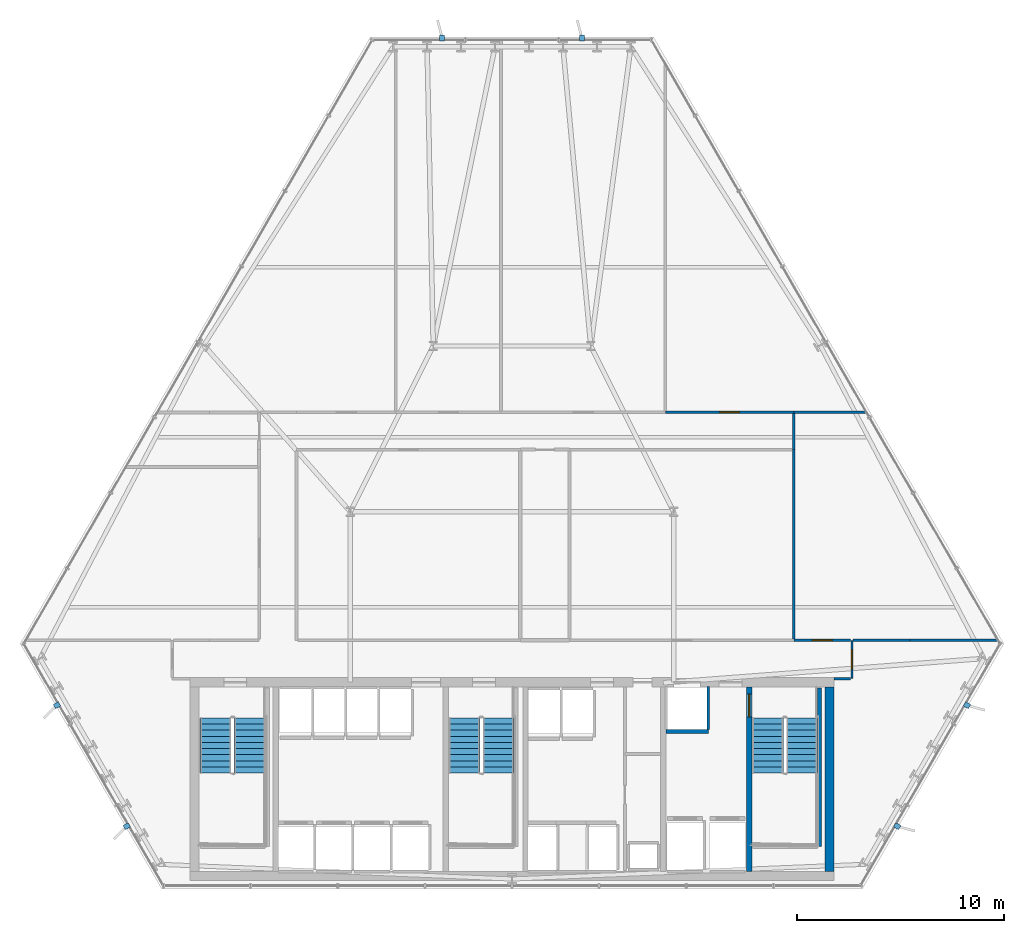
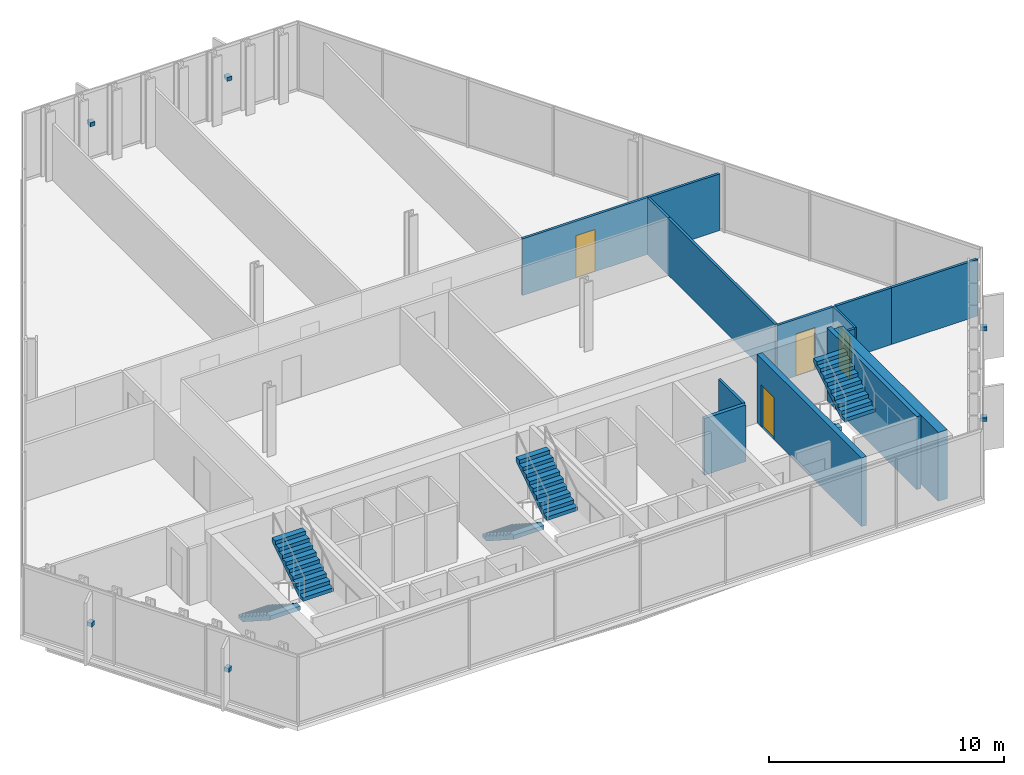
# One storey, part 27 of 31: 14 walls, 6 discrete accessories, 6 stair flights, 4 doors, 4 openings, 3 elements without a shape of their own.
"""IFC4 building model written with IfcOpenShell, lengths in metres."""

import ifcopenshell
import ifcopenshell.guid

model = None  # the IFC model being written
_history = None  # IfcOwnerHistory: only IFC2X3 demands one
_inside = {}  # id of a spatial element -> (the spatial element, [elements in it])
_under = {}  # id of a project, library or spatial element -> (it, [spatial elements below it])
_declared = {}  # id of a project -> (the project, [libraries it declares])
_typed = {}  # id of a type object -> (the type object, [elements of that type])
_made_of = {}  # id of a material, layer set ... -> (it, [elements and type objects made of it])


def new_model(schema):
    """Start an empty IFC model of exactly this schema.

    Asked for "IFC4X3", IfcOpenShell would pick the latest addendum, in which some entities
    have other attributes; the version numbers below select the first issue.
    IFC2X3 requires an IfcOwnerHistory on every rooted entity: one is made here for all.
    """
    global model, _history
    if schema == "IFC4X3":
        model = ifcopenshell.file(schema_version=(4, 3, 0, 0))
    else:
        model = ifcopenshell.file(schema=schema)
    _inside.clear()
    _under.clear()
    _declared.clear()
    _typed.clear()
    _made_of.clear()
    _history = None
    if model.schema == "IFC2X3":
        org = make("IfcOrganization", Name="unknown")
        user = make(
            "IfcPersonAndOrganization",
            ThePerson=make("IfcPerson", FamilyName="unknown"),
            TheOrganization=org,
        )
        app = make(
            "IfcApplication",
            ApplicationDeveloper=org,
            Version="unknown",
            ApplicationFullName="unknown",
            ApplicationIdentifier="unknown",
        )
        _history = make(
            "IfcOwnerHistory",
            OwningUser=user,
            OwningApplication=app,
            ChangeAction="ADDED",
            CreationDate=0,
        )
    return model


def make(cls, **values):
    """One entity of the class cls with the attributes given. An attribute that is None is left unset."""
    return model.create_entity(
        cls, **{name: value for name, value in values.items() if value is not None}
    )


def rooted(cls, **values):
    """An entity with a GlobalId (a new one), such as an element, a storey or a relation."""
    return make(cls, GlobalId=ifcopenshell.guid.new(), OwnerHistory=_history, **values)


def si_unit(unit_type, name, prefix=None):
    """IfcSIUnit, for example si_unit("LENGTHUNIT", "METRE", prefix="MILLI")."""
    return make("IfcSIUnit", UnitType=unit_type, Prefix=prefix, Name=name)


def assignment(units):
    """IfcUnitAssignment: the units of a project."""
    return None if units is None else make("IfcUnitAssignment", Units=units)


def point(xyz):
    """IfcCartesianPoint."""
    return None if xyz is None else make("IfcCartesianPoint", Coordinates=xyz)


def direction(xyz):
    """IfcDirection."""
    return None if xyz is None else make("IfcDirection", DirectionRatios=xyz)


def frame(location, z_axis=None, x_axis=None):
    """IfcAxis2Placement3D, a coordinate frame: its origin and axes. An axis left out is left unset."""
    return make(
        "IfcAxis2Placement3D",
        Location=point(location),
        Axis=direction(z_axis),
        RefDirection=direction(x_axis),
    )


def frame_2d(location, x_axis=None):
    """IfcAxis2Placement2D, a coordinate frame in the plane: its origin and x axis."""
    return make(
        "IfcAxis2Placement2D", Location=point(location), RefDirection=direction(x_axis)
    )


def origin():
    """The frame at (0, 0, 0) with its axes left unset."""
    return frame((0.0, 0.0, 0.0))


def origin_2d():
    """The frame at (0, 0) in the plane with its x axis left unset."""
    return frame_2d((0.0, 0.0))


def place(relative_to, where):
    """IfcLocalPlacement: puts the frame where relative to a parent placement (None: the world)."""
    return make(
        "IfcLocalPlacement", PlacementRelTo=relative_to, RelativePlacement=where
    )


def context(
    kind, dimensions, precision=None, world=None, true_north=None, identifier=None
):
    """IfcGeometricRepresentationContext, for example the 3D "Model" context."""
    return make(
        "IfcGeometricRepresentationContext",
        ContextIdentifier=identifier,
        ContextType=kind,
        CoordinateSpaceDimension=dimensions,
        Precision=precision,
        WorldCoordinateSystem=world,
        TrueNorth=true_north,
    )


def subcontext(parent, identifier, kind, view, scale=None):
    """IfcGeometricRepresentationSubContext, for example "Body" below "Model"."""
    return make(
        "IfcGeometricRepresentationSubContext",
        ContextIdentifier=identifier,
        ContextType=kind,
        ParentContext=parent,
        TargetScale=scale,
        TargetView=view,
    )


def project(units=None, contexts=None):
    """IfcProject with its units and contexts."""
    return rooted(
        "IfcProject",
        Name="project",
        RepresentationContexts=contexts,
        UnitsInContext=assignment(units),
    )


def spatial(cls, under=None, at=None, **own):
    """A site, building, storey or space (cls), placed at a placement, below another one or the project."""
    s = rooted(cls, ObjectPlacement=at, **own)
    if under is not None:
        _under.setdefault(under.id(), (under, []))[1].append(s)
    return s


def polyline(points):
    """IfcPolyline through the points."""
    return make("IfcPolyline", Points=[point(p) for p in points])


def profile(cls, at=None, kind="AREA", **sizes):
    """A parametric profile (cls). Its sizes go by their IFC names, for example OverallWidth=200.0."""
    return make(cls, ProfileType=kind, Position=at, **sizes)


def rectangle(**sizes):
    """IfcRectangleProfileDef."""
    return profile("IfcRectangleProfileDef", **sizes)


def outline(outer, holes=None, kind="AREA"):
    """IfcArbitraryClosedProfileDef: a profile drawn as a closed curve; with holes, ...WithVoids."""
    if holes is None:
        return make("IfcArbitraryClosedProfileDef", ProfileType=kind, OuterCurve=outer)
    return make(
        "IfcArbitraryProfileDefWithVoids",
        ProfileType=kind,
        OuterCurve=outer,
        InnerCurves=holes,
    )


def extrude(swept, where, along, depth):
    """IfcExtrudedAreaSolid: the profile swept, set in the frame where, extruded along a direction by depth."""
    return make(
        "IfcExtrudedAreaSolid",
        SweptArea=swept,
        Position=where,
        ExtrudedDirection=direction(along),
        Depth=depth,
    )


def shape(context_of_items, identifier, shape_type, items):
    """IfcShapeRepresentation: the items that make up one representation, for example the "Body"."""
    return make(
        "IfcShapeRepresentation",
        ContextOfItems=context_of_items,
        RepresentationIdentifier=identifier,
        RepresentationType=shape_type,
        Items=items,
    )


def material(Name=None, Category=None):
    """IfcMaterial."""
    return make("IfcMaterial", Name=Name, Category=Category)


def layer(
    of_material, thickness, ventilated=None, Name=None, Category=None, Priority=None
):
    """IfcMaterialLayer: one layer of a wall or slab, of a material (None: an air gap)."""
    return make(
        "IfcMaterialLayer",
        Material=of_material,
        LayerThickness=thickness,
        IsVentilated=ventilated,
        Name=Name,
        Category=Category,
        Priority=Priority,
    )


def layer_set(layers, Name=None):
    """IfcMaterialLayerSet."""
    return make("IfcMaterialLayerSet", MaterialLayers=layers, LayerSetName=Name)


def made_of(thing, what):
    """Note that an element or type object is made of a material, layer set ...; save() writes the relation."""
    if what is not None:
        _made_of.setdefault(what.id(), (what, []))[1].append(thing)
    return thing


def type_object(cls, material=None, **own):
    """A type object (cls), such as IfcWallType, which elements share."""
    return made_of(rooted(cls, **own), material)


def element(
    cls,
    number,
    at=None,
    inside=None,
    cuts=None,
    type_object=None,
    material=None,
    context=None,
    identifier="Body",
    shape_type=None,
    held_by="IfcProductDefinitionShape",
    body=None,
    shapes=None,
    **own,
):
    """One element of the class cls, such as IfcWall. Its Tag is "e" and its number.

    at: its placement. inside: the storey or other place that contains it. cuts: it is an
    opening in that element (IfcRelVoidsElement). A single representation is given by context,
    identifier, shape_type and body (its items); several are given by shapes. held_by: the class
    of the entity that holds the representations. save() writes the other relations.
    """
    e = rooted(cls, Tag="e%d" % number, ObjectPlacement=at, **own)
    if body is not None:
        shapes = [shape(context, identifier, shape_type, body)]
    if shapes is not None:
        e.Representation = make(held_by, Representations=shapes)
    if inside is not None:
        _inside.setdefault(inside.id(), (inside, []))[1].append(e)
    if cuts is not None:
        rooted(
            "IfcRelVoidsElement", RelatingBuildingElement=cuts, RelatedOpeningElement=e
        )
    if type_object is not None:
        _typed.setdefault(type_object.id(), (type_object, []))[1].append(e)
    return made_of(e, material)


def fill(opening, filler):
    """IfcRelFillsElement: the door or window that sits in an opening."""
    return rooted(
        "IfcRelFillsElement",
        RelatingOpeningElement=opening,
        RelatedBuildingElement=filler,
    )


def aggregate(whole, parts):
    """IfcRelAggregates: a whole, such as a stair, and the parts it consists of."""
    return rooted("IfcRelAggregates", RelatingObject=whole, RelatedObjects=parts)


def save(model, path):
    """Write the relations noted so far, then the file.

    IfcRelAggregates (storeys below a building ...), IfcRelContainedInSpatialStructure (elements
    in a storey), IfcRelDefinesByType, IfcRelAssociatesMaterial and IfcRelDeclares: one each for
    every whole, place, type object, material and project.
    """
    for whole, parts in _under.values():
        aggregate(whole, parts)
    for where, things in _inside.values():
        rooted(
            "IfcRelContainedInSpatialStructure",
            RelatedElements=things,
            RelatingStructure=where,
        )
    for kind, things in _typed.values():
        rooted("IfcRelDefinesByType", RelatedObjects=things, RelatingType=kind)
    for what, things in _made_of.values():
        rooted("IfcRelAssociatesMaterial", RelatedObjects=things, RelatingMaterial=what)
    for by, libraries in _declared.values():
        rooted("IfcRelDeclares", RelatingContext=by, RelatedDefinitions=libraries)
    model.write(path)


model = new_model("IFC4")

# Units and contexts
model_context = context("Model", 3, precision=1e-05, world=origin(), true_north=direction((0.0, 1.0)))
body_context = subcontext(model_context, "Body", "Model", "MODEL_VIEW")
ifc_project = project(units=[si_unit("LENGTHUNIT", "METRE"), si_unit("AREAUNIT", "SQUARE_METRE"), si_unit("VOLUMEUNIT", "CUBIC_METRE"), si_unit("PLANEANGLEUNIT", "RADIAN"), si_unit("MASSUNIT", "GRAM", prefix="KILO")], contexts=[model_context])

# Site, building, storey
site_placement = place(None, origin())
site = spatial("IfcSite", under=ifc_project, at=site_placement, CompositionType="ELEMENT")
building_placement = place(site_placement, origin())
building = spatial("IfcBuilding", under=site, at=building_placement, Name="Ndaravel Arena Tower", CompositionType="ELEMENT")
storey_placement = place(building_placement, frame((0.0, 0.0, 104.39990234375)))
storey = spatial("IfcBuildingStorey", under=building, at=storey_placement, Name="L24", CompositionType="ELEMENT", Elevation=104.39990234375)

# Wall, opening, door
ifc_material_1 = material(Name="Concrete C60/75", Category="concrete")
ifc_layer_1 = layer(ifc_material_1, 0.25)
ifc_layer_set_1 = layer_set([ifc_layer_1], Name="Concrete C60/75")
wall_type_1 = type_object("IfcWallType", Name="WALL-CORE-250", PredefinedType="SOLIDWALL", material=ifc_layer_set_1)
wall_1_placement = place(storey_placement, frame((53.449951171875, 5.85009765625, 0.0), z_axis=(0.0, 0.0, 1.0), x_axis=(0.0, 1.0, 0.0)))
wall_1 = element("IfcWall", 1, at=wall_1_placement, inside=storey, type_object=wall_type_1, Name="L24 Core Web Shear Wall 5", PredefinedType="SOLIDWALL", context=body_context, shape_type="SweptSolid", body=[
    extrude(rectangle(XDim=8.89990234375, YDim=0.25, at=frame_2d((4.449951171875, 0.0))), origin(), (0.0, 0.0, 1.0), 3.580078125),
])
opening_1_placement = place(wall_1_placement, frame((7.449951171875, 0.0, 0.0)))
opening_1 = element("IfcOpeningElement", 2, at=opening_1_placement, cuts=wall_1, Name="Opening FD-01", PredefinedType="OPENING", context=body_context, shape_type="SweptSolid", body=[
    extrude(rectangle(XDim=1.10009765625, YDim=2.199951171875, at=frame_2d((0.550048828125, 1.10009765625))), frame((0.0, 0.125, 0.0), z_axis=(0.0, -1.0, 0.0), x_axis=(1.0, 0.0, 0.0)), (0.0, 0.0, 1.0), 0.25),
])
ifc_material_2 = material(Name="Steel S355", Category="steel")
door_type_1 = type_object("IfcDoorType", Name="DT-01-STAIR-1100", OperationType="SINGLE_SWING_LEFT", PredefinedType="DOOR", material=ifc_material_2)
door_1_placement = place(opening_1_placement, origin())
door_1 = element("IfcDoor", 3, at=door_1_placement, inside=storey, type_object=door_type_1, Name="L24 Firefighting Lobby to ST-3 Door", OperationType="SINGLE_SWING_LEFT", OverallHeight=2.199951171875, OverallWidth=1.10009765625, PredefinedType="DOOR", context=body_context, shape_type="SweptSolid", body=[
    extrude(rectangle(XDim=1.10009765625, YDim=2.199951171875, at=frame_2d((0.550048828125, 1.10009765625))), frame((0.0, 0.02490234375, 0.0), z_axis=(0.0, -1.0, 0.0), x_axis=(1.0, 0.0, 0.0)), (0.0, 0.0, 1.0), 0.050048828125),
])
fill(opening_1, door_1)

# Wall
ifc_material_3 = material(Name="Concrete C60/75", Category="concrete")
ifc_layer_2 = layer(ifc_material_3, 0.449951171875)
ifc_layer_set_2 = layer_set([ifc_layer_2], Name="Concrete C60/75")
wall_type_2 = type_object("IfcWallType", Name="WALL-CORE-450", PredefinedType="SOLIDWALL", material=ifc_layer_set_2)
wall_2_placement = place(storey_placement, frame((57.324951171875, 5.85009765625, 0.0), z_axis=(0.0, 0.0, 1.0), x_axis=(0.0, 1.0, 0.0)))
element("IfcWall", 4, at=wall_2_placement, inside=storey, type_object=wall_type_2, Name="L24 Core East Shear Wall", PredefinedType="SOLIDWALL", context=body_context, shape_type="SweptSolid", body=[
    extrude(rectangle(XDim=8.89990234375, YDim=0.449951171875, at=frame_2d((4.449951171875, 0.0))), origin(), (0.0, 0.0, 1.0), 3.580078125),
])

# Wall, opening, door
ifc_material_4 = material(Name="Timber", Category="wood")
ifc_layer_3 = layer(ifc_material_4, 0.10009765625)
ifc_layer_set_3 = layer_set([ifc_layer_3], Name="Timber")
wall_type_3 = type_object("IfcWallType", Name="WALL-MOVABLE-100", PredefinedType="MOVABLE", material=ifc_layer_set_3)
wall_3_placement = place(storey_placement, frame((58.39990234375, 17.0, 0.0), z_axis=(0.0, 0.0, 1.0), x_axis=(0.0, -1.0, 0.0)))
wall_3 = element("IfcWall", 5, at=wall_3_placement, inside=storey, type_object=wall_type_3, Name="L24 Interior Partition 001", PredefinedType="MOVABLE", context=body_context, shape_type="SweptSolid", body=[
    extrude(rectangle(XDim=1.85009765625, YDim=0.10009765625, at=frame_2d((0.925048828125, 0.0))), origin(), (0.0, 0.0, 1.0), 2.9501953125),
])
opening_2_placement = place(wall_3_placement, frame((0.449951171875, 0.0, 0.0)))
opening_2 = element("IfcOpeningElement", 6, at=opening_2_placement, cuts=wall_3, Name="Opening ID-01", PredefinedType="OPENING", context=body_context, shape_type="SweptSolid", body=[
    extrude(rectangle(XDim=0.949951171875, YDim=2.199951171875, at=frame_2d((0.47509765625, 1.10009765625))), frame((0.0, 0.050048828125, 0.0), z_axis=(0.0, -1.0, 0.0), x_axis=(1.0, 0.0, 0.0)), (0.0, 0.0, 1.0), 0.10009765625),
])
ifc_material_5 = material(Name="Timber", Category="wood")
door_type_2 = type_object("IfcDoorType", Name="DT-03-OFFICE-950", OperationType="SINGLE_SWING_LEFT", PredefinedType="DOOR", material=ifc_material_5)
door_2_placement = place(opening_2_placement, origin())
door_2 = element("IfcDoor", 7, at=door_2_placement, inside=storey, type_object=door_type_2, Name="L24 Design Bookshop Boutique Door", OperationType="SINGLE_SWING_RIGHT", OverallHeight=2.199951171875, OverallWidth=0.949951171875, PredefinedType="DOOR", context=body_context, shape_type="SweptSolid", body=[
    extrude(rectangle(XDim=0.949951171875, YDim=2.199951171875, at=frame_2d((0.47509765625, 1.10009765625))), frame((0.0, 0.02490234375, 0.0), z_axis=(0.0, -1.0, 0.0), x_axis=(1.0, 0.0, 0.0)), (0.0, 0.0, 1.0), 0.050048828125),
])
fill(opening_2, door_2)

# Wall
ifc_material_6 = material(Name="Gypsum", Category="gypsum")
ifc_layer_4 = layer(ifc_material_6, 0.125)
ifc_layer_set_4 = layer_set([ifc_layer_4], Name="Gypsum")
wall_type_4 = type_object("IfcWallType", Name="WALL-PART-125", PredefinedType="PARTITIONING", material=ifc_layer_set_4)
wall_4_placement = place(storey_placement, frame((58.3349609375, 15.14990234375, 0.0), z_axis=(0.0, 0.0, 1.0), x_axis=(-1.0, 0.0, 0.0)))
element("IfcWall", 8, at=wall_4_placement, inside=storey, type_object=wall_type_4, Name="L24 Interior Partition 002", PredefinedType="PARTITIONING", context=body_context, shape_type="SweptSolid", body=[
    extrude(rectangle(XDim=0.784912109375, YDim=0.125, at=frame_2d((0.392578125, 0.0))), origin(), (0.0, 0.0, 1.0), 2.9501953125),
])

# Wall, opening, door
wall_5_placement = place(storey_placement, frame((49.39990234375, 28.0, 0.0), z_axis=(0.0, 0.0, 1.0), x_axis=(1.0, 0.0, 0.0)))
wall_5 = element("IfcWall", 9, at=wall_5_placement, inside=storey, type_object=wall_type_4, Name="L24 Interior Partition 014", PredefinedType="PARTITIONING", context=body_context, shape_type="SweptSolid", body=[
    extrude(rectangle(XDim=6.2001953125, YDim=0.125, at=frame_2d((3.10009765625, 0.0))), origin(), (0.0, 0.0, 1.0), 2.9501953125),
])
opening_3_placement = place(wall_5_placement, frame((2.625, 0.0, 0.0)))
opening_3 = element("IfcOpeningElement", 10, at=opening_3_placement, cuts=wall_5, Name="Opening ID-01", PredefinedType="OPENING", context=body_context, shape_type="SweptSolid", body=[
    extrude(rectangle(XDim=0.949951171875, YDim=2.199951171875, at=frame_2d((0.47509765625, 1.10009765625))), frame((0.0, 0.0625, 0.0), z_axis=(0.0, -1.0, 0.0), x_axis=(1.0, 0.0, 0.0)), (0.0, 0.0, 1.0), 0.125),
])
door_3_placement = place(opening_3_placement, origin())
door_3 = element("IfcDoor", 11, at=door_3_placement, inside=storey, type_object=door_type_2, Name="L24 Refreshment Kiosk 2 Door", OperationType="SINGLE_SWING_LEFT", OverallHeight=2.199951171875, OverallWidth=0.949951171875, PredefinedType="DOOR", context=body_context, shape_type="SweptSolid", body=[
    extrude(rectangle(XDim=0.949951171875, YDim=2.199951171875, at=frame_2d((0.47509765625, 1.10009765625))), frame((0.0, 0.02490234375, 0.0), z_axis=(0.0, -1.0, 0.0), x_axis=(1.0, 0.0, 0.0)), (0.0, 0.0, 1.0), 0.050048828125),
])
fill(opening_3, door_3)

# Wall
wall_6_placement = place(storey_placement, frame((55.60009765625, 27.93505859375, 0.0), z_axis=(0.0, 0.0, 1.0), x_axis=(0.0, -1.0, 0.0)))
element("IfcWall", 12, at=wall_6_placement, inside=storey, type_object=wall_type_4, Name="L24 Interior Partition 015", PredefinedType="PARTITIONING", context=body_context, shape_type="SweptSolid", body=[
    extrude(rectangle(XDim=1.735107421875, YDim=0.125, at=frame_2d((0.86767578125, 0.0))), origin(), (0.0, 0.0, 1.0), 2.9501953125),
])

# Wall, opening, door
wall_7_placement = place(storey_placement, frame((55.60009765625, 17.0, 0.0), z_axis=(0.0, 0.0, 1.0), x_axis=(1.0, 0.0, 0.0)))
wall_7 = element("IfcWall", 13, at=wall_7_placement, inside=storey, type_object=wall_type_4, Name="L24 Interior Partition 023", PredefinedType="PARTITIONING", context=body_context, shape_type="SweptSolid", body=[
    extrude(rectangle(XDim=2.73486328125, YDim=0.125, at=frame_2d((1.367431640625, 0.0))), origin(), (0.0, 0.0, 1.0), 2.9501953125),
])
opening_4_placement = place(wall_7_placement, frame((0.892578125, 0.0, 0.0)))
opening_4 = element("IfcOpeningElement", 14, at=opening_4_placement, cuts=wall_7, Name="Opening ID-01", PredefinedType="OPENING", context=body_context, shape_type="SweptSolid", body=[
    extrude(rectangle(XDim=0.949951171875, YDim=2.199951171875, at=frame_2d((0.47509765625, 1.10009765625))), frame((0.0, 0.0625, 0.0), z_axis=(0.0, -1.0, 0.0), x_axis=(1.0, 0.0, 0.0)), (0.0, 0.0, 1.0), 0.125),
])
door_4_placement = place(opening_4_placement, origin())
door_4 = element("IfcDoor", 15, at=door_4_placement, inside=storey, type_object=door_type_2, Name="L24 Advisory Desk Office 3 Door", OperationType="SINGLE_SWING_LEFT", OverallHeight=2.199951171875, OverallWidth=0.949951171875, PredefinedType="DOOR", context=body_context, shape_type="SweptSolid", body=[
    extrude(rectangle(XDim=0.949951171875, YDim=2.199951171875, at=frame_2d((0.47509765625, 1.10009765625))), frame((0.0, 0.02490234375, 0.0), z_axis=(0.0, -1.0, 0.0), x_axis=(1.0, 0.0, 0.0)), (0.0, 0.0, 1.0), 0.050048828125),
])
fill(opening_4, door_4)

# Walls
wall_8_placement = place(storey_placement, frame((58.465087890625, 17.0, 0.0), z_axis=(0.0, 0.0, 1.0), x_axis=(1.0, 0.0, 0.0)))
element("IfcWall", 16, at=wall_8_placement, inside=storey, type_object=wall_type_4, Name="L24 Interior Partition 025", PredefinedType="PARTITIONING", context=body_context, shape_type="SweptSolid", body=[
    extrude(rectangle(XDim=2.73486328125, YDim=0.125, at=frame_2d((1.367431640625, 0.0))), origin(), (0.0, 0.0, 1.0), 2.9501953125),
])
wall_9_placement = place(storey_placement, frame((61.199951171875, 17.0, 0.0), z_axis=(0.0, 0.0, 1.0), x_axis=(1.0, 0.0, 0.0)))
element("IfcWall", 17, at=wall_9_placement, inside=storey, type_object=wall_type_4, Name="L24 Interior Partition 026", PredefinedType="PARTITIONING", context=body_context, shape_type="SweptSolid", body=[
    extrude(rectangle(XDim=4.2607421875, YDim=0.125, at=frame_2d((2.13037109375, 0.0))), origin(), (0.0, 0.0, 1.0), 2.9501953125),
])
wall_10_placement = place(storey_placement, frame((55.60009765625, 26.199951171875, 0.0), z_axis=(0.0, 0.0, 1.0), x_axis=(0.0, -1.0, 0.0)))
element("IfcWall", 18, at=wall_10_placement, inside=storey, type_object=wall_type_4, Name="L24 Interior Partition 030", PredefinedType="PARTITIONING", context=body_context, shape_type="SweptSolid", body=[
    extrude(rectangle(XDim=9.135009765625, YDim=0.125, at=frame_2d((4.5673828125, 0.0))), origin(), (0.0, 0.0, 1.0), 2.9501953125),
])
wall_11_placement = place(storey_placement, frame((55.60009765625, 28.0, 0.0), z_axis=(0.0, 0.0, 1.0), x_axis=(1.0, 0.0, 0.0)))
element("IfcWall", 19, at=wall_11_placement, inside=storey, type_object=wall_type_4, Name="L24 Interior Partition 031", PredefinedType="PARTITIONING", context=body_context, shape_type="SweptSolid", body=[
    extrude(rectangle(XDim=3.510009765625, YDim=0.125, at=frame_2d((1.7548828125, 0.0))), origin(), (0.0, 0.0, 1.0), 2.9501953125),
])
ifc_material_7 = material(Name="Concrete C40/50", Category="concrete")
ifc_layer_5 = layer(ifc_material_7, 0.1201171875)
ifc_layer_set_5 = layer_set([ifc_layer_5], Name="Concrete C40/50")
wall_type_5 = type_object("IfcWallType", Name="WALL-SHAFT-120", PredefinedType="SOLIDWALL", material=ifc_layer_set_5)
wall_12_placement = place(storey_placement, frame((51.47998046875, 12.68994140625, 0.0), z_axis=(0.0, 0.0, 1.0), x_axis=(0.0, 1.0, 0.0)))
element("IfcWall", 20, at=wall_12_placement, inside=storey, type_object=wall_type_5, Name="L24 SVL-1 Shaft E Wall", PredefinedType="SOLIDWALL", context=body_context, shape_type="SweptSolid", body=[
    extrude(rectangle(XDim=2.070068359375, YDim=0.1201171875, at=frame_2d((1.03515625, 0.0))), origin(), (0.0, 0.0, 1.0), 2.9501953125),
])
ifc_material_8 = material(Name="Concrete C40/50", Category="concrete")
ifc_layer_6 = layer(ifc_material_8, 0.199951171875)
ifc_layer_set_6 = layer_set([ifc_layer_6], Name="Concrete C40/50")
wall_type_6 = type_object("IfcWallType", Name="WALL-SHAFT-200", PredefinedType="SOLIDWALL", material=ifc_layer_set_6)
wall_13_placement = place(storey_placement, frame((56.840087890625, 14.699951171875, 0.0), z_axis=(0.0, 0.0, 1.0), x_axis=(0.0, -1.0, 0.0)))
element("IfcWall", 21, at=wall_13_placement, inside=storey, type_object=wall_type_6, Name="L24 ST-3 Structural Shaft Wall Right", PredefinedType="SOLIDWALL", context=body_context, shape_type="SweptSolid", body=[
    extrude(rectangle(XDim=7.64990234375, YDim=0.199951171875, at=frame_2d((3.824951171875, 0.0))), origin(), (0.0, 0.0, 1.0), 3.800048828125),
])
wall_14_placement = place(storey_placement, frame((49.43994140625, 12.594970703125, 0.0), z_axis=(0.0, 0.0, 1.0), x_axis=(1.0, 0.0, 0.0)))
element("IfcWall", 22, at=wall_14_placement, inside=storey, type_object=wall_type_6, Name="L24 SVL-1 Shaft South Wall", PredefinedType="SOLIDWALL", context=body_context, shape_type="SweptSolid", body=[
    extrude(rectangle(XDim=2.0400390625, YDim=0.179931640625, at=frame_2d((1.02001953125, 0.0))), origin(), (0.0, 0.0, 1.0), 2.9501953125),
])

# Stair, stair flights
ifc_material_9 = material(Name="Concrete C40/50", Category="concrete")
stair_type = type_object("IfcStairType", Name="STAIR-CORE-HT", PredefinedType="HALF_TURN_STAIR", material=ifc_material_9)
stair_1_placement = place(storey_placement, origin())
stair_1 = element("IfcStair", 23, at=stair_1_placement, inside=storey, type_object=stair_type, Name="L24 ST-1", PredefinedType="HALF_TURN_STAIR")
ifc_material_10 = material(Name="Concrete C40/50", Category="concrete")
stair_flight_type = type_object("IfcStairFlightType", Name="SFLIGHT-CORE-1680", PredefinedType="STRAIGHT", material=ifc_material_10)
stair_flight_1_placement = place(storey_placement, frame((27.699951171875, 13.25, 0.0), z_axis=(0.0, 0.0, 1.0), x_axis=(0.0, -1.0, 0.0)))
stair_flight_1 = element("IfcStairFlight", 24, at=stair_flight_1_placement, type_object=stair_flight_type, Name="ST-1 flight 1", NumberOfRisers=10, NumberOfTreads=9, PredefinedType="STRAIGHT", RiserHeight=0.19, TreadLength=0.295, context=body_context, shape_type="SweptSolid", body=[
    extrude(outline(polyline([(0.0, 0.0), (0.0, 0.18994140625), (0.294921875, 0.18994140625), (0.294921875, 0.3798828125), (0.590087890625, 0.3798828125), (0.590087890625, 0.570068359375), (0.885009765625, 0.570068359375), (0.885009765625, 0.760009765625), (1.179931640625, 0.760009765625), (1.179931640625, 0.949951171875), (1.47509765625, 0.949951171875), (1.47509765625, 1.139892578125), (1.77001953125, 1.139892578125), (1.77001953125, 1.330078125), (2.06494140625, 1.330078125), (2.06494140625, 1.52001953125), (2.360107421875, 1.52001953125), (2.360107421875, 1.7099609375), (2.655029296875, 1.7099609375), (2.655029296875, 1.89990234375), (2.655029296875, 1.49609375), (0.332275390625, 0.0), (0.0, 0.0)])), frame((0.0, 0.75, 0.0), z_axis=(0.0, -1.0, 0.0), x_axis=(1.0, 0.0, 0.0)), (0.0, 0.0, 1.0), 1.5),
])
stair_flight_2_placement = place(storey_placement, frame((29.340087890625, 10.594970703125, 1.900146484375), z_axis=(0.0, 0.0, 1.0), x_axis=(0.0, 1.0, 0.0)))
stair_flight_2 = element("IfcStairFlight", 25, at=stair_flight_2_placement, type_object=stair_flight_type, Name="ST-1 flight 2", NumberOfRisers=10, NumberOfTreads=9, PredefinedType="STRAIGHT", RiserHeight=0.19, TreadLength=0.295, context=body_context, shape_type="SweptSolid", body=[
    extrude(outline(polyline([(0.0, 0.0), (0.0, 0.18994140625), (0.294921875, 0.18994140625), (0.294921875, 0.3798828125), (0.590087890625, 0.3798828125), (0.590087890625, 0.570068359375), (0.885009765625, 0.570068359375), (0.885009765625, 0.760009765625), (1.179931640625, 0.760009765625), (1.179931640625, 0.949951171875), (1.47509765625, 0.949951171875), (1.47509765625, 1.139892578125), (1.77001953125, 1.139892578125), (1.77001953125, 1.330078125), (2.06494140625, 1.330078125), (2.06494140625, 1.52001953125), (2.360107421875, 1.52001953125), (2.360107421875, 1.7099609375), (2.655029296875, 1.7099609375), (2.655029296875, 1.89990234375), (2.655029296875, 1.49609375), (0.332275390625, 0.0), (0.0, 0.0)])), frame((0.0, 0.75, 0.0), z_axis=(0.0, -1.0, 0.0), x_axis=(1.0, 0.0, 0.0)), (0.0, 0.0, 1.0), 1.5),
])
aggregate(stair_1, [stair_flight_1, stair_flight_2])

stair_2_placement = place(storey_placement, origin())
stair_2 = element("IfcStair", 26, at=stair_2_placement, inside=storey, type_object=stair_type, Name="L24 ST-2", PredefinedType="HALF_TURN_STAIR")
stair_flight_3_placement = place(storey_placement, frame((39.699951171875, 13.25, 0.0), z_axis=(0.0, 0.0, 1.0), x_axis=(0.0, -1.0, 0.0)))
stair_flight_3 = element("IfcStairFlight", 27, at=stair_flight_3_placement, type_object=stair_flight_type, Name="ST-2 flight 1", NumberOfRisers=10, NumberOfTreads=9, PredefinedType="STRAIGHT", RiserHeight=0.19, TreadLength=0.295, context=body_context, shape_type="SweptSolid", body=[
    extrude(outline(polyline([(0.0, 0.0), (0.0, 0.18994140625), (0.294921875, 0.18994140625), (0.294921875, 0.3798828125), (0.590087890625, 0.3798828125), (0.590087890625, 0.570068359375), (0.885009765625, 0.570068359375), (0.885009765625, 0.760009765625), (1.179931640625, 0.760009765625), (1.179931640625, 0.949951171875), (1.47509765625, 0.949951171875), (1.47509765625, 1.139892578125), (1.77001953125, 1.139892578125), (1.77001953125, 1.330078125), (2.06494140625, 1.330078125), (2.06494140625, 1.52001953125), (2.360107421875, 1.52001953125), (2.360107421875, 1.7099609375), (2.655029296875, 1.7099609375), (2.655029296875, 1.89990234375), (2.655029296875, 1.49609375), (0.332275390625, 0.0), (0.0, 0.0)])), frame((0.0, 0.75, 0.0), z_axis=(0.0, -1.0, 0.0), x_axis=(1.0, 0.0, 0.0)), (0.0, 0.0, 1.0), 1.5),
])
stair_flight_4_placement = place(storey_placement, frame((41.340087890625, 10.594970703125, 1.900146484375), z_axis=(0.0, 0.0, 1.0), x_axis=(0.0, 1.0, 0.0)))
stair_flight_4 = element("IfcStairFlight", 28, at=stair_flight_4_placement, type_object=stair_flight_type, Name="ST-2 flight 2", NumberOfRisers=10, NumberOfTreads=9, PredefinedType="STRAIGHT", RiserHeight=0.19, TreadLength=0.295, context=body_context, shape_type="SweptSolid", body=[
    extrude(outline(polyline([(0.0, 0.0), (0.0, 0.18994140625), (0.294921875, 0.18994140625), (0.294921875, 0.3798828125), (0.590087890625, 0.3798828125), (0.590087890625, 0.570068359375), (0.885009765625, 0.570068359375), (0.885009765625, 0.760009765625), (1.179931640625, 0.760009765625), (1.179931640625, 0.949951171875), (1.47509765625, 0.949951171875), (1.47509765625, 1.139892578125), (1.77001953125, 1.139892578125), (1.77001953125, 1.330078125), (2.06494140625, 1.330078125), (2.06494140625, 1.52001953125), (2.360107421875, 1.52001953125), (2.360107421875, 1.7099609375), (2.655029296875, 1.7099609375), (2.655029296875, 1.89990234375), (2.655029296875, 1.49609375), (0.332275390625, 0.0), (0.0, 0.0)])), frame((0.0, 0.75, 0.0), z_axis=(0.0, -1.0, 0.0), x_axis=(1.0, 0.0, 0.0)), (0.0, 0.0, 1.0), 1.5),
])
aggregate(stair_2, [stair_flight_3, stair_flight_4])

stair_3_placement = place(storey_placement, origin())
stair_3 = element("IfcStair", 29, at=stair_3_placement, inside=storey, type_object=stair_type, Name="L24 ST-3", PredefinedType="HALF_TURN_STAIR")
stair_flight_5_placement = place(storey_placement, frame((54.35009765625, 13.25, 0.0), z_axis=(0.0, 0.0, 1.0), x_axis=(0.0, -1.0, 0.0)))
stair_flight_5 = element("IfcStairFlight", 30, at=stair_flight_5_placement, type_object=stair_flight_type, Name="ST-3 flight 1", NumberOfRisers=10, NumberOfTreads=9, PredefinedType="STRAIGHT", RiserHeight=0.19, TreadLength=0.295, context=body_context, shape_type="SweptSolid", body=[
    extrude(outline(polyline([(0.0, 0.0), (0.0, 0.18994140625), (0.294921875, 0.18994140625), (0.294921875, 0.3798828125), (0.590087890625, 0.3798828125), (0.590087890625, 0.570068359375), (0.885009765625, 0.570068359375), (0.885009765625, 0.760009765625), (1.179931640625, 0.760009765625), (1.179931640625, 0.949951171875), (1.47509765625, 0.949951171875), (1.47509765625, 1.139892578125), (1.77001953125, 1.139892578125), (1.77001953125, 1.330078125), (2.06494140625, 1.330078125), (2.06494140625, 1.52001953125), (2.360107421875, 1.52001953125), (2.360107421875, 1.7099609375), (2.655029296875, 1.7099609375), (2.655029296875, 1.89990234375), (2.655029296875, 1.49609375), (0.332275390625, 0.0), (0.0, 0.0)])), frame((0.0, 0.75, 0.0), z_axis=(0.0, -1.0, 0.0), x_axis=(1.0, 0.0, 0.0)), (0.0, 0.0, 1.0), 1.5),
])
stair_flight_6_placement = place(storey_placement, frame((55.989990234375, 10.594970703125, 1.900146484375), z_axis=(0.0, 0.0, 1.0), x_axis=(0.0, 1.0, 0.0)))
stair_flight_6 = element("IfcStairFlight", 31, at=stair_flight_6_placement, type_object=stair_flight_type, Name="ST-3 flight 2", NumberOfRisers=10, NumberOfTreads=9, PredefinedType="STRAIGHT", RiserHeight=0.19, TreadLength=0.295, context=body_context, shape_type="SweptSolid", body=[
    extrude(outline(polyline([(0.0, 0.0), (0.0, 0.18994140625), (0.294921875, 0.18994140625), (0.294921875, 0.3798828125), (0.590087890625, 0.3798828125), (0.590087890625, 0.570068359375), (0.885009765625, 0.570068359375), (0.885009765625, 0.760009765625), (1.179931640625, 0.760009765625), (1.179931640625, 0.949951171875), (1.47509765625, 0.949951171875), (1.47509765625, 1.139892578125), (1.77001953125, 1.139892578125), (1.77001953125, 1.330078125), (2.06494140625, 1.330078125), (2.06494140625, 1.52001953125), (2.360107421875, 1.52001953125), (2.360107421875, 1.7099609375), (2.655029296875, 1.7099609375), (2.655029296875, 1.89990234375), (2.655029296875, 1.49609375), (0.332275390625, 0.0), (0.0, 0.0)])), frame((0.0, 0.75, 0.0), z_axis=(0.0, -1.0, 0.0), x_axis=(1.0, 0.0, 0.0)), (0.0, 0.0, 1.0), 1.5),
])
aggregate(stair_3, [stair_flight_5, stair_flight_6])

# Discrete accessories
ifc_material_11 = material(Name="Steel S355", Category="steel")
discrete_accessory_type = type_object("IfcDiscreteAccessoryType", Name="ACC-BRACKET-FIN", PredefinedType="BRACKET", material=ifc_material_11)
for number, where, z_axis, x_axis, name in (
    (32, (60.58935546875, 8.0283203125, 1.68994140625), (0.0, 0.0, 1.0), (0.866025403784, -0.5, 0.0), "L24 Mazeras Stone Solar Fin E2.1 Bracket"),
    (33, (63.958984375, 13.864501953125, 1.68994140625), (0.0, 0.0, 1.0), (0.866025403784, -0.5, 0.0), "L24 Mazeras Stone Solar Fin E2.2 Bracket"),
    (34, (45.36962890625, 46.0625, 1.68994140625), (0.0, 0.0, 1.0), (0.0, 1.0, 0.0), "L24 Mazeras Stone Solar Fin E4.1 Bracket"),
    (35, (38.63037109375, 46.0625, 1.68994140625), (0.0, 0.0, 1.0), (0.0, 1.0, 0.0), "L24 Mazeras Stone Solar Fin E4.2 Bracket"),
    (36, (20.041015625, 13.864501953125, 1.68994140625), (0.0, 0.0, 1.0), (-0.866025403784, -0.5, 0.0), "L24 Mazeras Stone Solar Fin E6.1 Bracket"),
    (37, (23.41064453125, 8.0283203125, 1.68994140625), (0.0, 0.0, 1.0), (-0.866025403784, -0.5, 0.0), "L24 Mazeras Stone Solar Fin E6.2 Bracket"),
):
    element("IfcDiscreteAccessory", number, at=place(storey_placement, frame(where, z_axis=z_axis, x_axis=x_axis)), inside=storey, type_object=discrete_accessory_type, Name=name, PredefinedType="BRACKET", context=body_context, shape_type="SweptSolid", body=[
        extrude(rectangle(XDim=0.280029296875, YDim=0.239990234375, at=origin_2d()), origin(), (0.0, 0.0, 1.0), 0.199951171875),
    ])

save(model, "model.ifc")
